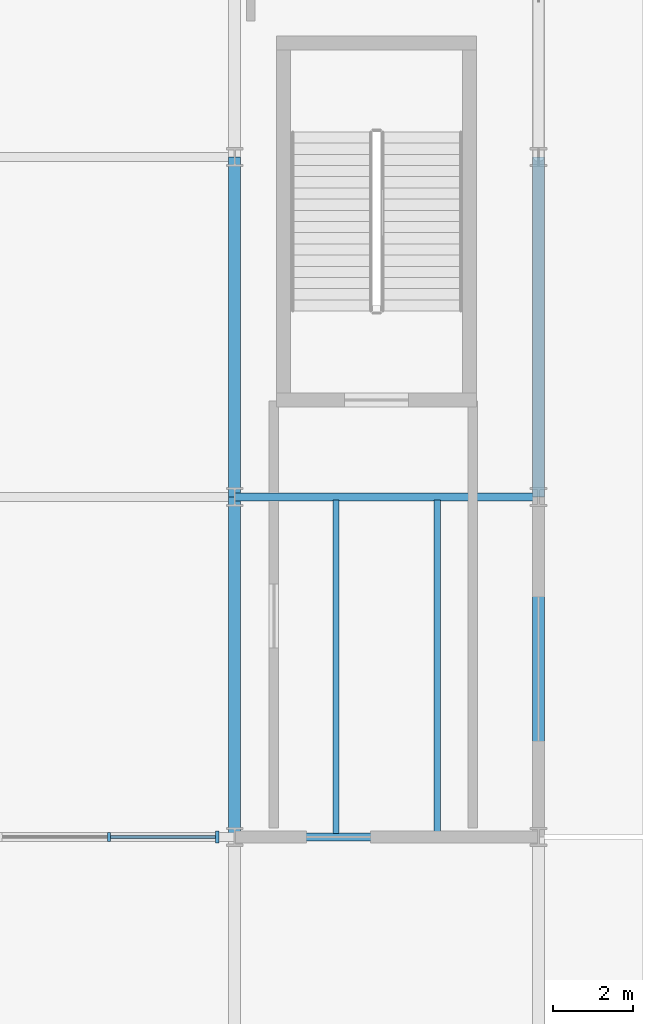
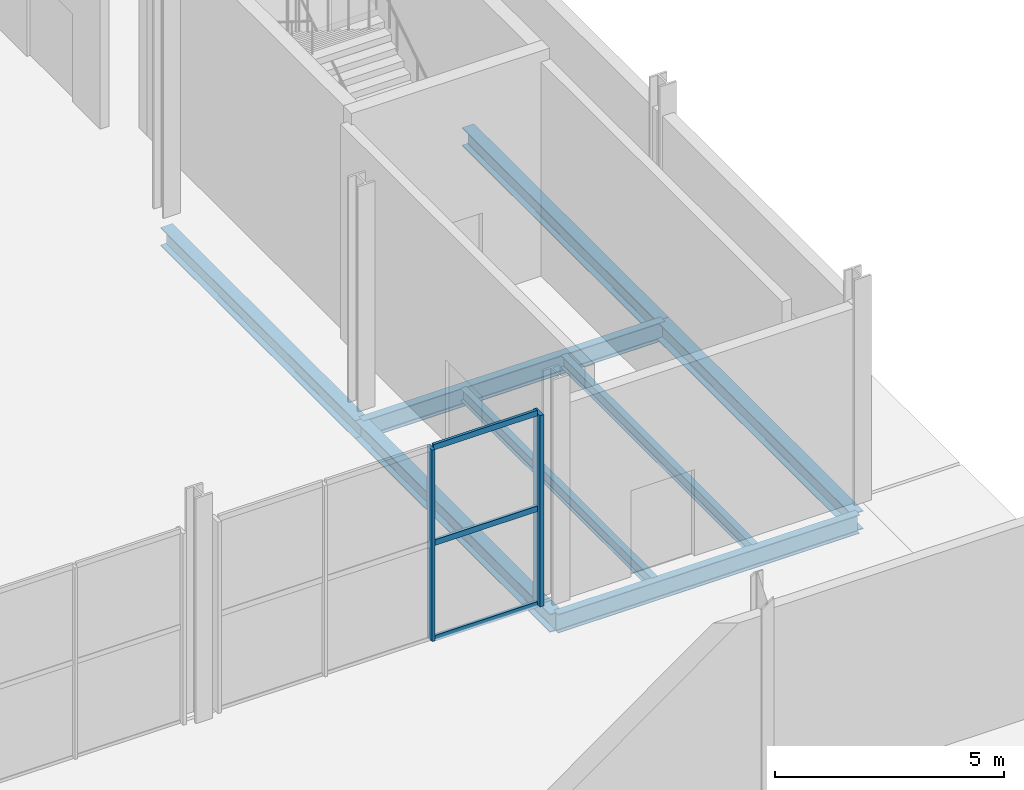
# One storey, part 44 of 84: 8 beams, 5 members, 1 element without a shape of its own.
"""IFC4 building model written with IfcOpenShell, lengths in metres."""

from ifc_helpers import new_model, si_unit, direction, frame, origin, origin_2d, place, context, subcontext, project, spatial, rectangle, i_section, extrude, material, layer, layer_set, material_profile, profile_set, type_object, element, aggregate, save


model = new_model("IFC4")

# Units and contexts
model_context = context("Model", 3, precision=1e-05, world=origin(), true_north=direction((0.0, 1.0)))
body_context = subcontext(model_context, "Body", "Model", "MODEL_VIEW")
ifc_project = project(units=[si_unit("LENGTHUNIT", "METRE"), si_unit("AREAUNIT", "SQUARE_METRE"), si_unit("VOLUMEUNIT", "CUBIC_METRE"), si_unit("PLANEANGLEUNIT", "RADIAN"), si_unit("MASSUNIT", "GRAM", prefix="KILO")], contexts=[model_context])

# Site, building, storey
site_placement = place(None, origin())
site = spatial("IfcSite", under=ifc_project, at=site_placement, CompositionType="ELEMENT")
building_placement = place(site_placement, origin())
building = spatial("IfcBuilding", under=site, at=building_placement, Name="Sefraquen Railside Congress Hotel", CompositionType="ELEMENT")
storey_placement = place(building_placement, origin())
storey = spatial("IfcBuildingStorey", under=building, at=storey_placement, Name="L00", CompositionType="ELEMENT", Elevation=0.0)

# Beams
ifc_material_1 = material(Name="Steel S355JR", Category="steel")
ifc_material_profile_1 = material_profile(ifc_material_1, i_section(OverallWidth=0.199951171875, OverallDepth=0.5, WebThickness=0.01025390625, FlangeThickness=0.01611328125, FilletRadius=0.02099609375, at=origin_2d()), Name="IPE 500")
ifc_profile_set_1 = profile_set([ifc_material_profile_1], Name="Steel S355JR")
beam_type_1 = type_object("IfcBeamType", Name="TB-BM-500", PredefinedType="BEAM", material=ifc_profile_set_1)
for number, where, z_axis, x_axis, name in (
    (1, (164.39990234375, 54.0, -0.64990234375), (1.0, 0.0, 0.0), (0.0, 1.0, 0.0), "Primary girder BM-L00-0071"),
    (2, (164.39990234375, 62.5, -0.64990234375), (1.0, 0.0, 0.0), (0.0, 1.0, 0.0), "Primary girder BM-L00-0081"),
):
    element("IfcBeam", number, at=place(storey_placement, frame(where, z_axis=z_axis, x_axis=x_axis)), inside=storey, type_object=beam_type_1, Name=name, PredefinedType="BEAM", context=body_context, shape_type="SweptSolid", body=[
        extrude(i_section(OverallWidth=0.199951171875, OverallDepth=0.5, WebThickness=0.01025390625, FlangeThickness=0.01611328125, FilletRadius=0.02099609375, at=origin_2d()), origin(), (0.0, 0.0, 1.0), 7.60009765625),
    ])
ifc_material_profile_2 = material_profile(ifc_material_1, i_section(OverallWidth=0.300048828125, OverallDepth=0.489990234375, WebThickness=0.011962890625, FlangeThickness=0.02294921875, FilletRadius=0.027099609375, at=origin_2d()), Name="HEA 500")
ifc_profile_set_2 = profile_set([ifc_material_profile_2], Name="Steel S355JR")
beam_type_2 = type_object("IfcBeamType", Name="TB-GIR-500", PredefinedType="T_BEAM", material=ifc_profile_set_2)
for number, where, z_axis, x_axis, name in (
    (3, (164.39990234375, 54.0, -0.64501953125), (0.0, 1.0, 0.0), (-1.0, 0.0, 0.0), "Floor beam BM-L00-0324"),
    (4, (164.39990234375, 62.5, -0.64501953125), (0.0, 1.0, 0.0), (-1.0, 0.0, 0.0), "Floor beam BM-L00-0325"),
    (5, (172.0, 54.0, -0.64501953125), (0.0, 1.0, 0.0), (-1.0, 0.0, 0.0), "Floor beam BM-L00-0334"),
    (6, (172.0, 62.5, -0.64501953125), (0.0, 1.0, 0.0), (-1.0, 0.0, 0.0), "Floor beam BM-L00-0335"),
):
    element("IfcBeam", number, at=place(storey_placement, frame(where, z_axis=z_axis, x_axis=x_axis)), inside=storey, type_object=beam_type_2, Name=name, PredefinedType="T_BEAM", context=body_context, shape_type="SweptSolid", body=[
        extrude(i_section(OverallWidth=0.300048828125, OverallDepth=0.489990234375, WebThickness=0.011962890625, FlangeThickness=0.02294921875, FilletRadius=0.027099609375, at=origin_2d()), origin(), (0.0, 0.0, 1.0), 8.5),
    ])
ifc_material_profile_3 = material_profile(ifc_material_1, i_section(OverallWidth=0.159912109375, OverallDepth=0.330078125, WebThickness=0.007568359375, FlangeThickness=0.011474609375, FilletRadius=0.01806640625, at=origin_2d()), Name="IPE 330")
ifc_profile_set_3 = profile_set([ifc_material_profile_3], Name="Steel S355JR")
beam_type_3 = type_object("IfcBeamType", Name="TB-JST-330", PredefinedType="JOIST", material=ifc_profile_set_3)
for number, where, z_axis, x_axis, name in (
    (7, (166.933349609375, 54.080078125, -0.56494140625), (0.0, 1.0, 0.0), (-1.0, 0.0, 0.0), "Composite floor joist BM-L00-J0201"),
    (8, (169.466796875, 54.080078125, -0.56494140625), (0.0, 1.0, 0.0), (-1.0, 0.0, 0.0), "Composite floor joist BM-L00-J0202"),
):
    element("IfcBeam", number, at=place(storey_placement, frame(where, z_axis=z_axis, x_axis=x_axis)), inside=storey, type_object=beam_type_3, Name=name, PredefinedType="JOIST", context=body_context, shape_type="SweptSolid", body=[
        extrude(i_section(OverallWidth=0.159912109375, OverallDepth=0.330078125, WebThickness=0.007568359375, FlangeThickness=0.011474609375, FilletRadius=0.01806640625, at=origin_2d()), origin(), (0.0, 0.0, 1.0), 8.33984375),
    ])

# Curtain wall, members
ifc_material_2 = material(Name="Thermally broken anodised aluminium and low-E double glazing", Category="aluminium")
ifc_layer = layer(ifc_material_2, 0.199951171875)
ifc_layer_set = layer_set([ifc_layer], Name="Thermally broken anodised aluminium and low-E double glazing")
curtain_wall_type = type_object("IfcCurtainWallType", Name="TCW-UCW-11", PredefinedType="USERDEFINED", material=ifc_layer_set)
curtain_wall_placement = place(storey_placement, origin())
curtain_wall = element("IfcCurtainWall", 9, at=curtain_wall_placement, inside=storey, type_object=curtain_wall_type, Name="Grand Ballroom south garden curtain wall UCW-11", ObjectType="UNITISED CURTAIN WALL", PredefinedType="USERDEFINED")
ifc_material_3 = material(Name="Thermally broken anodised aluminium 6063-T6", Category="aluminium")
ifc_material_profile_4 = material_profile(ifc_material_3, rectangle(XDim=0.074951171875, YDim=0.219970703125, at=origin_2d()), Name="CWM 75x220")
ifc_profile_set_4 = profile_set([ifc_material_profile_4], Name="Thermally broken anodised aluminium 6063-T6")
member_type_1 = type_object("IfcMemberType", Name="TM-CWM-04", PredefinedType="MULLION", material=ifc_profile_set_4)
member_1_placement = place(storey_placement, frame((161.25341796875, 54.0, 0.0), z_axis=(0.0, 0.0, 1.0), x_axis=(1.0, 0.0, 0.0)))
member_1 = element("IfcMember", 10, at=member_1_placement, type_object=member_type_1, Name="CW-L00-011 mullion 3", PredefinedType="MULLION", context=body_context, shape_type="SweptSolid", body=[
    extrude(rectangle(XDim=0.074951171875, YDim=0.219970703125, at=origin_2d()), origin(), (0.0, 0.0, 1.0), 5.10009765625),
])
ifc_material_profile_5 = material_profile(ifc_material_3, rectangle(XDim=0.094970703125, YDim=0.300048828125, at=origin_2d()), Name="CWM 95x300")
ifc_profile_set_5 = profile_set([ifc_material_profile_5], Name="Thermally broken anodised aluminium 6063-T6")
member_type_2 = type_object("IfcMemberType", Name="TM-CWM-08", PredefinedType="MULLION", material=ifc_profile_set_5)
member_2_placement = place(storey_placement, frame((163.9599609375, 54.0, 0.0), z_axis=(0.0, 0.0, 1.0), x_axis=(1.0, 0.0, 0.0)))
member_2 = element("IfcMember", 11, at=member_2_placement, type_object=member_type_2, Name="CW-L00-011 mullion 4", PredefinedType="MULLION", context=body_context, shape_type="SweptSolid", body=[
    extrude(rectangle(XDim=0.094970703125, YDim=0.300048828125, at=origin_2d()), origin(), (0.0, 0.0, 1.0), 5.10009765625),
])
ifc_material_profile_6 = material_profile(ifc_material_3, rectangle(XDim=0.070068359375, YDim=0.14990234375, at=origin_2d()), Name="CWT 70x150")
ifc_profile_set_6 = profile_set([ifc_material_profile_6], Name="Thermally broken anodised aluminium 6063-T6")
member_type_3 = type_object("IfcMemberType", Name="TM-CWT-03", PredefinedType="USERDEFINED", material=ifc_profile_set_6)
member_3_placement = place(storey_placement, frame((161.29833984375, 54.0, 0.0), z_axis=(1.0, 0.0, 0.0), x_axis=(0.0, 1.0, 0.0)))
member_3 = element("IfcMember", 12, at=member_3_placement, type_object=member_type_3, Name="CW-L00-011 transom 1.3", ObjectType="TRANSOM", PredefinedType="USERDEFINED", context=body_context, shape_type="SweptSolid", body=[
    extrude(rectangle(XDim=0.070068359375, YDim=0.14990234375, at=origin_2d()), origin(), (0.0, 0.0, 1.0), 2.61669921875),
])
member_4_placement = place(storey_placement, frame((161.29833984375, 54.0, 2.550048828125), z_axis=(1.0, 0.0, 0.0), x_axis=(0.0, 1.0, 0.0)))
member_4 = element("IfcMember", 13, at=member_4_placement, type_object=member_type_3, Name="CW-L00-011 transom 2.3", ObjectType="TRANSOM", PredefinedType="USERDEFINED", context=body_context, shape_type="SweptSolid", body=[
    extrude(rectangle(XDim=0.070068359375, YDim=0.14990234375, at=origin_2d()), origin(), (0.0, 0.0, 1.0), 2.61669921875),
])
member_5_placement = place(storey_placement, frame((161.29833984375, 54.0, 5.10009765625), z_axis=(1.0, 0.0, 0.0), x_axis=(0.0, 1.0, 0.0)))
member_5 = element("IfcMember", 14, at=member_5_placement, type_object=member_type_3, Name="CW-L00-011 transom 3.3", ObjectType="TRANSOM", PredefinedType="USERDEFINED", context=body_context, shape_type="SweptSolid", body=[
    extrude(rectangle(XDim=0.070068359375, YDim=0.14990234375, at=origin_2d()), origin(), (0.0, 0.0, 1.0), 2.61669921875),
])
aggregate(curtain_wall, [member_1, member_2, member_3, member_4, member_5])

save(model, "model.ifc")
